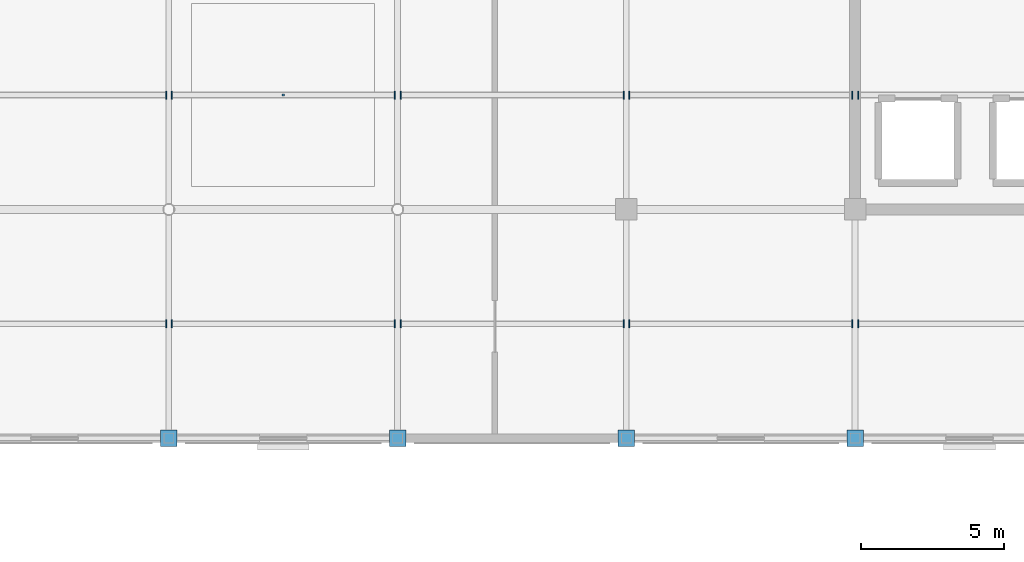
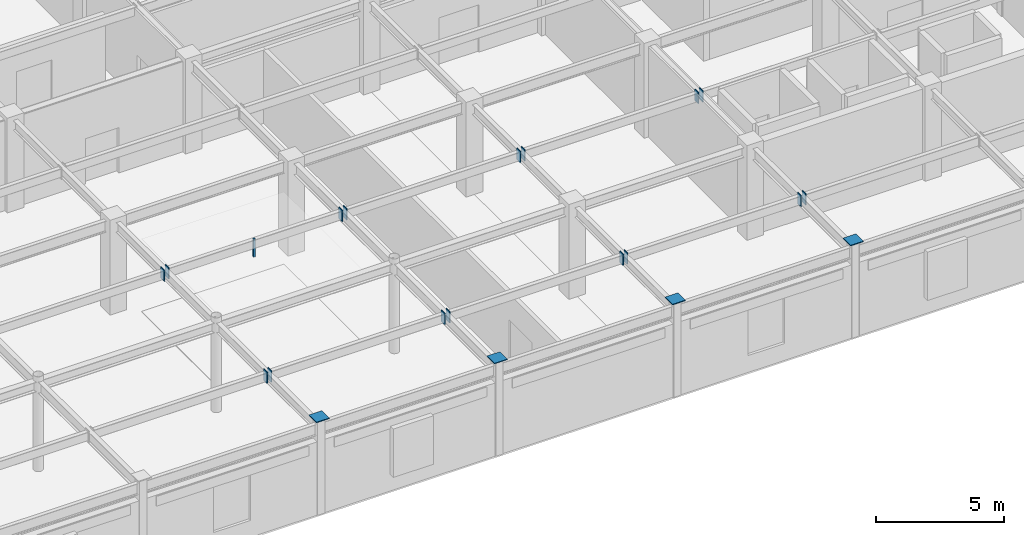
# One storey, part 77 of 93: 21 discrete accessories.
"""IFC4 building model written with IfcOpenShell, lengths in metres."""

from ifc_helpers import new_model, si_unit, direction, frame, origin, origin_2d, place, context, subcontext, project, spatial, rectangle, extrude, material, layer, layer_set, type_object, element, save


model = new_model("IFC4")

# Units and contexts
model_context = context("Model", 3, precision=1e-05, world=origin(), true_north=direction((0.0, 1.0)))
body_context = subcontext(model_context, "Body", "Model", "MODEL_VIEW")
ifc_project = project(units=[si_unit("LENGTHUNIT", "METRE"), si_unit("AREAUNIT", "SQUARE_METRE"), si_unit("VOLUMEUNIT", "CUBIC_METRE"), si_unit("PLANEANGLEUNIT", "RADIAN"), si_unit("MASSUNIT", "GRAM", prefix="KILO")], contexts=[model_context])

# Site, building, storey
site_placement = place(None, origin())
site = spatial("IfcSite", under=ifc_project, at=site_placement, CompositionType="ELEMENT")
building_placement = place(site_placement, origin())
building = spatial("IfcBuilding", under=site, at=building_placement, Name="Solmirada Galleria", CompositionType="ELEMENT")
storey_placement = place(building_placement, frame((0.0, 0.0, 14.89990234375)))
storey = spatial("IfcBuildingStorey", under=building, at=storey_placement, Name="L03", CompositionType="ELEMENT", Elevation=14.89990234375)

# Discrete accessories
ifc_material_1 = material(Name="Steel S355 / ASTM A992 Grade 50", Category="steel")
discrete_accessory_type_1 = type_object("IfcDiscreteAccessoryType", Name="ACC-CEIL-HANGER", PredefinedType="BRACKET", material=ifc_material_1)
discrete_accessory_placement = place(storey_placement, frame((140.0, 92.0, 3.449951171875), z_axis=(0.0, 0.0, 1.0), x_axis=(1.0, 0.0, 0.0)))
element("IfcDiscreteAccessory", 1, at=discrete_accessory_placement, inside=storey, type_object=discrete_accessory_type_1, Name="Ceiling suspension hanger L03-3", PredefinedType="BRACKET", context=body_context, shape_type="SweptSolid", body=[
    extrude(rectangle(XDim=0.080078125, YDim=0.080078125, at=origin_2d()), origin(), (0.0, 0.0, 1.0), 0.8701171875),
])
ifc_material_2 = material(Name="Steel S355 / ASTM A572 Grade 50", Category="steel")
ifc_layer = layer(ifc_material_2, 0.031982421875)
ifc_layer_set = layer_set([ifc_layer], Name="Steel S355 / ASTM A572 Grade 50")
discrete_accessory_type_2 = type_object("IfcDiscreteAccessoryType", Name="ACC-COL-CAP", PredefinedType="BRACKET", material=ifc_layer_set)
for number, where, z_axis, x_axis, name in (
    (2, (136.0, 80.0, 4.494140625), (0.0, 0.0, 1.0), (1.0, 0.0, 0.0), "Hollow column cap plate L03-1159"),
    (3, (144.0, 80.0, 4.494140625), (0.0, 0.0, 1.0), (1.0, 0.0, 0.0), "Hollow column cap plate L03-1245"),
    (4, (152.0, 80.0, 4.494140625), (0.0, 0.0, 1.0), (1.0, 0.0, 0.0), "Hollow column cap plate L03-1318"),
    (5, (160.0, 80.0, 4.494140625), (0.0, 0.0, 1.0), (1.0, 0.0, 0.0), "Hollow column cap plate L03-1391"),
):
    element("IfcDiscreteAccessory", number, at=place(storey_placement, frame(where, z_axis=z_axis, x_axis=x_axis)), inside=storey, type_object=discrete_accessory_type_2, Name=name, PredefinedType="BRACKET", context=body_context, shape_type="SweptSolid", body=[
        extrude(rectangle(XDim=0.580078125, YDim=0.580078125, at=origin_2d()), origin(), (0.0, 0.0, 1.0), 0.035888671875),
    ])
for number, where, z_axis, x_axis, name in (
    (6, (135.903076171875, 84.0, 3.787109375), (0.0, 0.0, 1.0), (1.0, 0.0, 0.0), "Hollow joist end plate L04-17-11-R"),
    (7, (135.903076171875, 92.0, 3.787109375), (0.0, 0.0, 1.0), (1.0, 0.0, 0.0), "Hollow joist end plate L04-17-12-R"),
    (8, (136.096923828125, 84.0, 3.787109375), (0.0, 0.0, 1.0), (1.0, 0.0, 0.0), "Hollow joist end plate L04-18-11-L"),
    (9, (143.89501953125, 84.0, 3.787109375), (0.0, 0.0, 1.0), (1.0, 0.0, 0.0), "Hollow joist end plate L04-18-11-R"),
    (10, (136.096923828125, 92.0, 3.8271484375), (0.0, 0.0, 1.0), (1.0, 0.0, 0.0), "Hollow joist end plate L04-18-12-L"),
    (11, (143.89501953125, 92.0, 3.8271484375), (0.0, 0.0, 1.0), (1.0, 0.0, 0.0), "Hollow joist end plate L04-18-12-R"),
    (12, (144.10498046875, 84.0, 3.787109375), (0.0, 0.0, 1.0), (1.0, 0.0, 0.0), "Hollow joist end plate L04-19-11-L"),
    (13, (151.903076171875, 84.0, 3.787109375), (0.0, 0.0, 1.0), (1.0, 0.0, 0.0), "Hollow joist end plate L04-19-11-R"),
    (14, (144.10498046875, 92.0, 3.8271484375), (0.0, 0.0, 1.0), (1.0, 0.0, 0.0), "Hollow joist end plate L04-19-12-L"),
    (15, (151.903076171875, 92.0, 3.8271484375), (0.0, 0.0, 1.0), (1.0, 0.0, 0.0), "Hollow joist end plate L04-19-12-R"),
    (16, (152.096923828125, 84.0, 3.787109375), (0.0, 0.0, 1.0), (1.0, 0.0, 0.0), "Hollow joist end plate L04-20-11-L"),
    (17, (159.89501953125, 84.0, 3.787109375), (0.0, 0.0, 1.0), (1.0, 0.0, 0.0), "Hollow joist end plate L04-20-11-R"),
    (18, (152.096923828125, 92.0, 3.8271484375), (0.0, 0.0, 1.0), (1.0, 0.0, 0.0), "Hollow joist end plate L04-20-12-L"),
    (19, (159.89501953125, 92.0, 3.8271484375), (0.0, 0.0, 1.0), (1.0, 0.0, 0.0), "Hollow joist end plate L04-20-12-R"),
    (20, (160.10498046875, 84.0, 3.787109375), (0.0, 0.0, 1.0), (1.0, 0.0, 0.0), "Hollow joist end plate L04-21-11-L"),
    (21, (160.10498046875, 92.0, 3.8271484375), (0.0, 0.0, 1.0), (1.0, 0.0, 0.0), "Hollow joist end plate L04-21-12-L"),
):
    element("IfcDiscreteAccessory", number, at=place(storey_placement, frame(where, z_axis=z_axis, x_axis=x_axis)), inside=storey, type_object=discrete_accessory_type_2, Name=name, PredefinedType="BRACKET", context=body_context, shape_type="SweptSolid", body=[
        extrude(rectangle(XDim=0.035888671875, YDim=0.280029296875, at=origin_2d()), origin(), (0.0, 0.0, 1.0), 0.5400390625),
    ])

save(model, "model.ifc")
